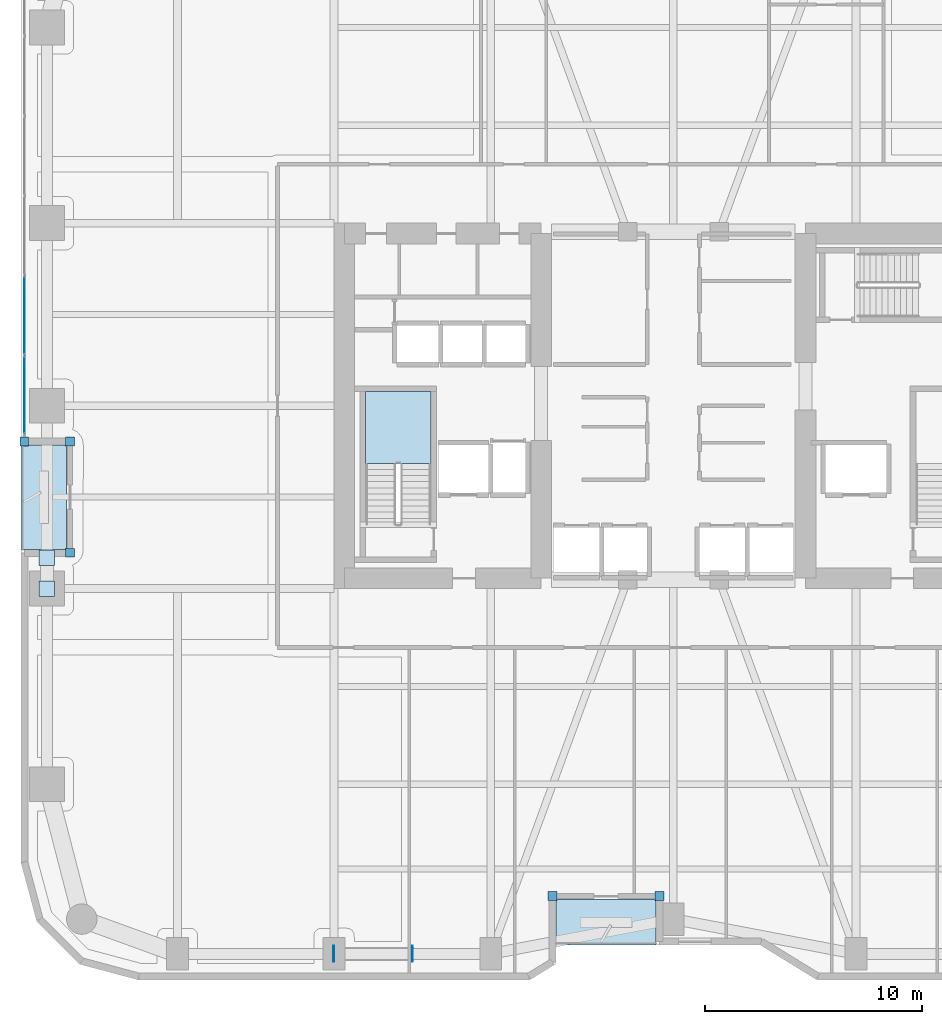
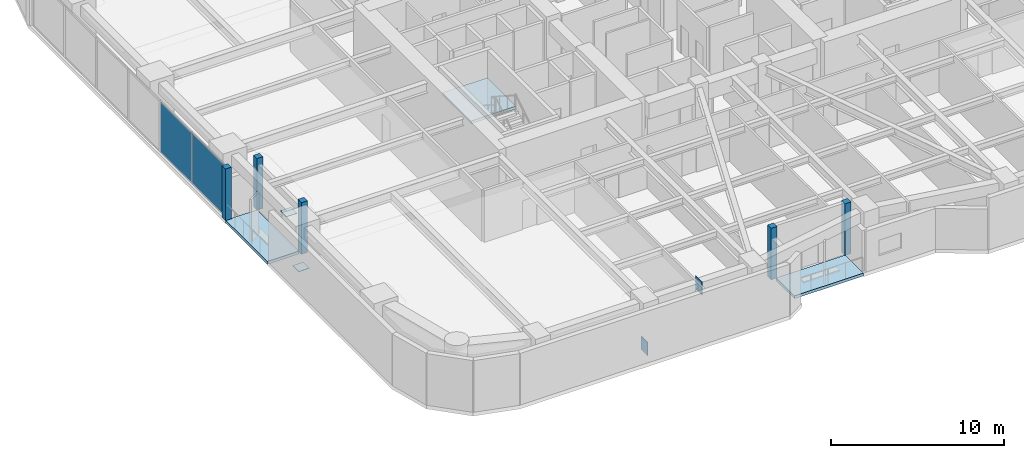
# One storey, part 19 of 29: 11 plates, 3 slabs, 2 elements without a shape of their own.
"""IFC4 building model written with IfcOpenShell, lengths in metres."""

from ifc_helpers import new_model, si_unit, direction, frame, origin, origin_2d, place, context, subcontext, project, spatial, polyline, rectangle, outline, extrude, material, layer, layer_set, type_object, element, aggregate, save


model = new_model("IFC4")

# Units and contexts
model_context = context("Model", 3, precision=1e-05, world=origin(), true_north=direction((0.0, 1.0)))
body_context = subcontext(model_context, "Body", "Model", "MODEL_VIEW")
ifc_project = project(units=[si_unit("LENGTHUNIT", "METRE"), si_unit("AREAUNIT", "SQUARE_METRE"), si_unit("VOLUMEUNIT", "CUBIC_METRE"), si_unit("PLANEANGLEUNIT", "RADIAN"), si_unit("MASSUNIT", "GRAM", prefix="KILO")], contexts=[model_context])

# Site, building, storey
site_placement = place(None, origin())
site = spatial("IfcSite", under=ifc_project, at=site_placement, CompositionType="ELEMENT")
building_placement = place(site_placement, origin())
building = spatial("IfcBuilding", under=site, at=building_placement, Name="Kiyonajd Concourse Tower", CompositionType="ELEMENT")
storey_placement = place(building_placement, frame((0.0, 0.0, 45.0)))
storey = spatial("IfcBuildingStorey", under=building, at=storey_placement, Name="L12", CompositionType="ELEMENT", Elevation=45.0)

# Plates
ifc_material_1 = material(Name="Steel ASTM A572 Grade 50", Category="steel")
ifc_layer_1 = layer(ifc_material_1, 0.028076171875)
ifc_layer_set_1 = layer_set([ifc_layer_1], Name="Steel ASTM A572 Grade 50")
plate_type_1 = type_object("IfcPlateType", Name="PL-CAP-450", PredefinedType="USERDEFINED", material=ifc_layer_set_1)
for number, where, z_axis, x_axis, name in (
    (1, (32.3916015625, 10.800048828125, -0.173583984375), (0.0, 0.0, 1.0), (-1.0, 0.0, 0.0), "L12 Hollow Brace End Cap Plate PBS"),
    (2, (36.008544921875, 10.800048828125, 2.83056640625), (0.0, 0.0, 1.0), (1.0, 0.0, 0.0), "L12 Hollow Brace Top Cap Plate PBS"),
):
    element("IfcPlate", number, at=place(storey_placement, frame(where, z_axis=z_axis, x_axis=x_axis)), inside=storey, type_object=plate_type_1, Name=name, ObjectType="CAP PLATE", PredefinedType="USERDEFINED", context=body_context, shape_type="SweptSolid", body=[
        extrude(rectangle(XDim=0.035888671875, YDim=0.72998046875, at=origin_2d()), origin(), (0.0, 0.0, 1.0), 0.93310546875),
    ])
for number, where, z_axis, x_axis, name in (
    (3, (19.199951171875, 27.59521484375, 0.27587890625), (0.0, 0.0, 1.0), (1.0, 0.0, 0.0), "L12 Hollow Brace End Cap Plate PBW"),
    (4, (19.199951171875, 29.004638671875, 3.2861328125), (0.0, 0.0, 1.0), (1.0, 0.0, 0.0), "L12 Hollow Brace Top Cap Plate PBW"),
):
    element("IfcPlate", number, at=place(storey_placement, frame(where, z_axis=z_axis, x_axis=x_axis)), inside=storey, type_object=plate_type_1, Name=name, ObjectType="CAP PLATE", PredefinedType="USERDEFINED", context=body_context, shape_type="SweptSolid", body=[
        extrude(rectangle(XDim=0.7099609375, YDim=0.7099609375, at=origin_2d()), origin(), (0.0, 0.0, 1.0), 0.028076171875),
    ])

# Curtain wall, plates
ifc_material_2 = material(Name="Thermally Broken Anodised Aluminium", Category="aluminium")
ifc_layer_2 = layer(ifc_material_2, 0.179931640625)
ifc_layer_set_2 = layer_set([ifc_layer_2], Name="Thermally Broken Anodised Aluminium")
curtain_wall_type = type_object("IfcCurtainWallType", Name="CW-SYS-02", PredefinedType="NOTDEFINED", material=ifc_layer_set_2)
curtain_wall_placement = place(storey_placement, origin())
curtain_wall = element("IfcCurtainWall", 5, at=curtain_wall_placement, inside=storey, type_object=curtain_wall_type, Name="L12 Unitised Curtain Wall CW2", PredefinedType="NOTDEFINED")
ifc_material_3 = material(Name="Double Low-E Insulated Glass", Category="glass")
ifc_layer_3 = layer(ifc_material_3, 0.028076171875)
ifc_layer_set_3 = layer_set([ifc_layer_3], Name="Double Low-E Insulated Glass")
plate_type_2 = type_object("IfcPlateType", Name="PL-CW-VIS28", PredefinedType="CURTAIN_PANEL", material=ifc_layer_set_3)
plate_1_placement = place(storey_placement, frame((18.159912109375, 36.5029296875, 0.06494140625), z_axis=(0.0, 0.0, 1.0), x_axis=(0.0, 1.0, 0.0)))
plate_1 = element("IfcPlate", 6, at=plate_1_placement, type_object=plate_type_2, Name="CW2 panel 1.1", PredefinedType="CURTAIN_PANEL", context=body_context, shape_type="SweptSolid", body=[
    extrude(rectangle(XDim=3.57568359375, YDim=0.028076171875, at=origin_2d()), origin(), (0.0, 0.0, 1.0), 3.510009765625),
])
plate_2_placement = place(storey_placement, frame((18.159912109375, 40.15966796875, 0.06494140625), z_axis=(0.0, 0.0, 1.0), x_axis=(0.0, 1.0, 0.0)))
plate_2 = element("IfcPlate", 7, at=plate_2_placement, type_object=plate_type_2, Name="CW2 panel 2.1", PredefinedType="CURTAIN_PANEL", context=body_context, shape_type="SweptSolid", body=[
    extrude(rectangle(XDim=3.608154296875, YDim=0.028076171875, at=origin_2d()), origin(), (0.0, 0.0, 1.0), 3.510009765625),
])
aggregate(curtain_wall, [plate_1, plate_2])

# Plates
ifc_layer_4 = layer(ifc_material_2, 0.39990234375)
ifc_layer_set_4 = layer_set([ifc_layer_4], Name="Thermally Broken Anodised Aluminium")
plate_type_3 = type_object("IfcPlateType", Name="PL-JMB-400", PredefinedType="USERDEFINED", material=ifc_layer_set_4)
for number, where, z_axis, x_axis, name in (
    (8, (20.260009765625, 29.239990234375, 0.0), (0.0, 0.0, 1.0), (1.0, 0.0, 0.0), "L12 Facade Jamb Closure Plate 01"),
    (9, (20.260009765625, 34.360107421875, 0.0), (0.0, 0.0, 1.0), (1.0, 0.0, 0.0), "L12 Facade Jamb Closure Plate 02"),
    (10, (18.159912109375, 34.360107421875, 0.0), (0.0, 0.0, 1.0), (1.0, 0.0, 0.0), "L12 Facade Jamb Closure Plate 03"),
    (11, (47.360107421875, 13.4599609375, 0.0), (0.0, 0.0, 1.0), (1.0, 0.0, 0.0), "L12 Facade Jamb Closure Plate 13"),
    (12, (42.43994140625, 13.4599609375, 0.0), (0.0, 0.0, 1.0), (1.0, 0.0, 0.0), "L12 Facade Jamb Closure Plate 14"),
):
    element("IfcPlate", number, at=place(storey_placement, frame(where, z_axis=z_axis, x_axis=x_axis)), inside=storey, type_object=plate_type_3, Name=name, ObjectType="JAMB PLATE", PredefinedType="USERDEFINED", context=body_context, shape_type="SweptSolid", body=[
        extrude(rectangle(XDim=0.39990234375, YDim=0.39990234375, at=origin_2d()), origin(), (0.0, 0.0, 1.0), 3.639892578125),
    ])

# Stair, slab
ifc_material_4 = material(Name="Concrete C40/50", Category="concrete")
stair_type = type_object("IfcStairType", Name="ST-DLG-22R", PredefinedType="HALF_TURN_STAIR", material=ifc_material_4)
stair_placement = place(storey_placement, origin())
stair = element("IfcStair", 13, at=stair_placement, inside=storey, type_object=stair_type, Name="L12 Protected Exit Stair ST1", PredefinedType="HALF_TURN_STAIR")
ifc_layer_5 = layer(ifc_material_4, 0.199951171875)
ifc_layer_set_5 = layer_set([ifc_layer_5], Name="Concrete C40/50")
slab_type_1 = type_object("IfcSlabType", Name="SL-LND-200", PredefinedType="LANDING", material=ifc_layer_set_5)
slab_1_placement = place(storey_placement, frame((0.0, 0.0, 1.75)))
slab_1 = element("IfcSlab", 14, at=slab_1_placement, type_object=slab_type_1, Name="ST1 landing 1", PredefinedType="LANDING", context=body_context, shape_type="SweptSolid", body=[
    extrude(outline(polyline([(36.85009765625, 33.35009765625), (36.85009765625, 36.64990234375), (33.85009765625, 36.64990234375), (33.85009765625, 33.35009765625), (36.85009765625, 33.35009765625)])), origin(), (0.0, 0.0, 1.0), 0.199951171875),
])
aggregate(stair, [slab_1])

# Slabs
ifc_material_5 = material(Name="Precast concrete C50/60", Category="concrete")
ifc_layer_6 = layer(ifc_material_5, 0.199951171875)
ifc_layer_set_6 = layer_set([ifc_layer_6], Name="Precast concrete C50/60")
slab_type_2 = type_object("IfcSlabType", Name="SL-LOG-200", PredefinedType="FLOOR", material=ifc_layer_set_6)
slab_2_placement = place(storey_placement, frame((0.0, 0.0, -0.199951171875)))
element("IfcSlab", 15, at=slab_2_placement, inside=storey, type_object=slab_type_2, Name="L12 Recessed Engawa Loggia Terrace Slab LOG-S", PredefinedType="FLOOR", context=body_context, shape_type="SweptSolid", body=[
    extrude(outline(polyline([(42.60009765625, 11.199951171875), (47.199951171875, 11.199951171875), (47.199951171875, 13.300048828125), (42.60009765625, 13.300048828125), (42.60009765625, 11.199951171875)])), origin(), (0.0, 0.0, 1.0), 0.199951171875),
])
slab_3_placement = place(storey_placement, frame((0.0, 0.0, -0.199951171875)))
element("IfcSlab", 16, at=slab_3_placement, inside=storey, type_object=slab_type_2, Name="L12 Recessed Engawa Loggia Terrace Slab LOG-W", PredefinedType="FLOOR", context=body_context, shape_type="SweptSolid", body=[
    extrude(outline(polyline([(18.0, 29.39990234375), (20.10009765625, 29.39990234375), (20.10009765625, 34.199951171875), (18.0, 34.199951171875), (18.0, 29.39990234375)])), origin(), (0.0, 0.0, 1.0), 0.199951171875),
])

save(model, "model.ifc")
